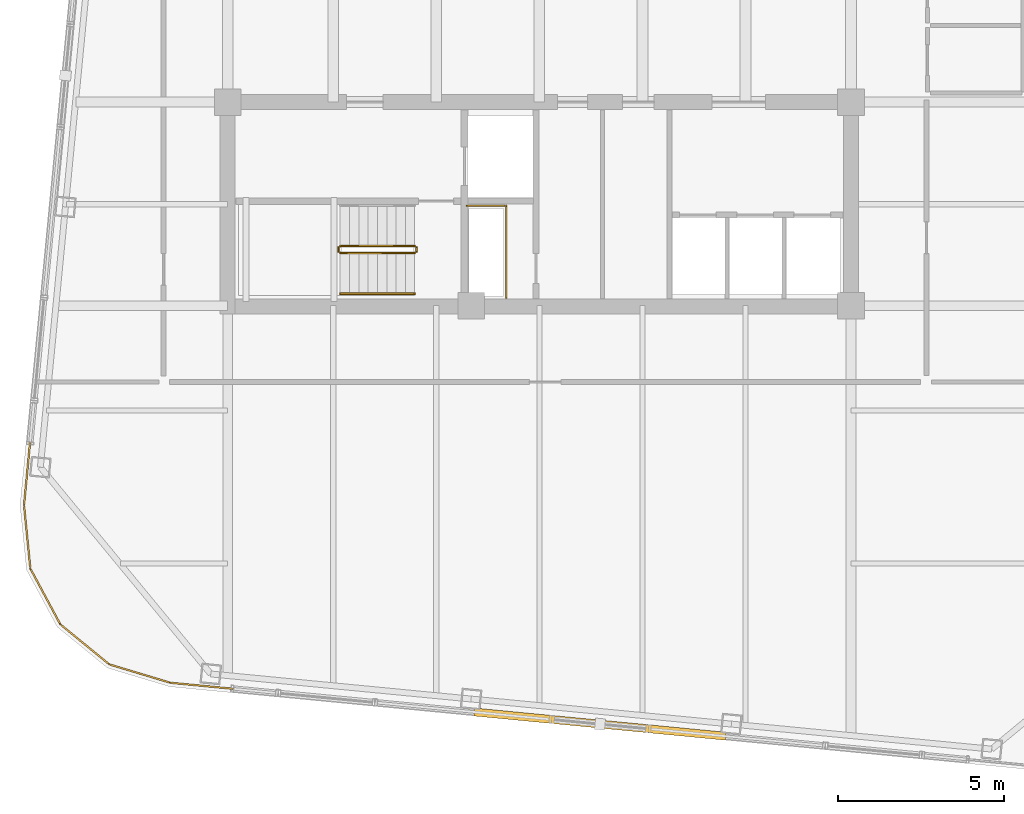
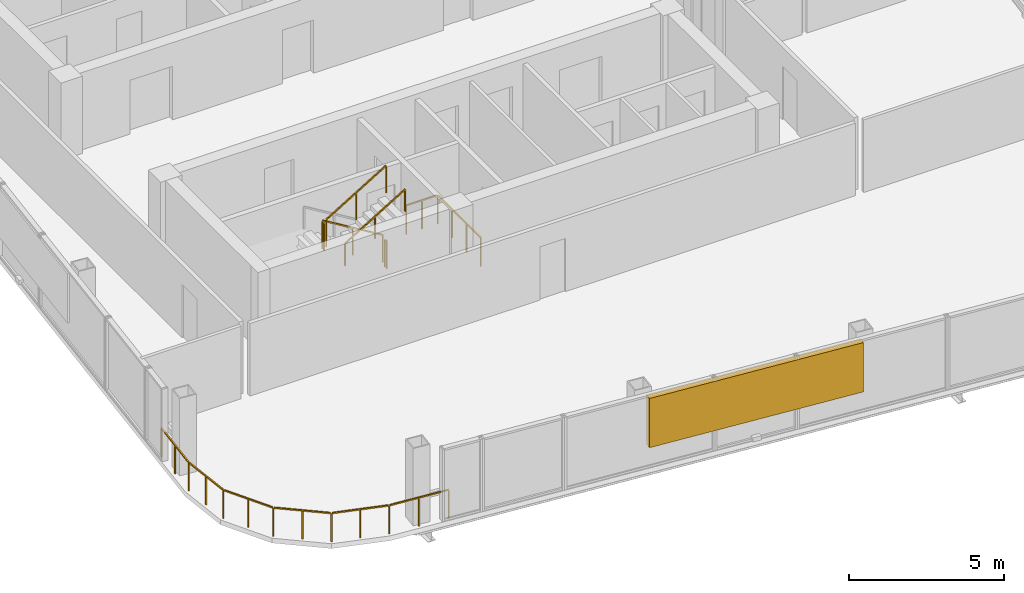
# One storey, part 23 of 26: 7 railings, 1 shading device.
"""IFC4 building model written with IfcOpenShell, lengths in metres."""

from ifc_helpers import new_model, si_unit, direction, frame, origin, origin_2d, place, context, subcontext, project, spatial, rectangle, extrude, material, type_object, element, save


model = new_model("IFC4")

# Units and contexts
model_context = context("Model", 3, precision=1e-05, world=origin(), true_north=direction((0.0, 1.0)))
body_context = subcontext(model_context, "Body", "Model", "MODEL_VIEW")
ifc_project = project(units=[si_unit("LENGTHUNIT", "METRE"), si_unit("AREAUNIT", "SQUARE_METRE"), si_unit("VOLUMEUNIT", "CUBIC_METRE"), si_unit("PLANEANGLEUNIT", "RADIAN"), si_unit("MASSUNIT", "GRAM", prefix="KILO")], contexts=[model_context])

# Site, building, storey
site_placement = place(None, origin())
site = spatial("IfcSite", under=ifc_project, at=site_placement, CompositionType="ELEMENT")
building_placement = place(site_placement, origin())
building = spatial("IfcBuilding", under=site, at=building_placement, Name="Qhalaya Broadcast Tower", CompositionType="ELEMENT")
storey_placement = place(building_placement, frame((0.0, 0.0, 248.949951171875)))
storey = spatial("IfcBuildingStorey", under=building, at=storey_placement, Name="L73", CompositionType="ELEMENT", Elevation=248.949951171875)

# Railings
ifc_material_1 = material(Name="Powder-Coated Galvanised Steel", Category="steel")
railing_type_1 = type_object("IfcRailingType", Name="Stair Wall Handrail 900", PredefinedType="HANDRAIL", material=ifc_material_1)
railing_1_placement = place(storey_placement, frame((-5.989990234375, -8.389892578125, 1.694580078125)))
element("IfcRailing", 1, at=railing_1_placement, inside=storey, type_object=railing_type_1, Name="L73 ST-2 Stair Handrail 2", PredefinedType="HANDRAIL", context=body_context, shape_type="SweptSolid", body=[
    extrude(rectangle(XDim=0.048095703125, YDim=0.048095703125, at=origin_2d()), frame((0.0, 0.0, 0.8759765625), z_axis=(0.855553338991, 0.0, 0.51771467445), x_axis=(0.0, 1.0, 0.0)), (0.0, 0.0, 1.0), 2.6181640625),
    extrude(rectangle(XDim=0.0419921875, YDim=0.0419921875, at=origin_2d()), origin(), (0.0, 0.0, 1.0), 0.849853515625),
    extrude(rectangle(XDim=0.0419921875, YDim=0.0419921875, at=origin_2d()), frame((1.1201171875, 0.0, 0.677734375)), (0.0, 0.0, 1.0), 0.849853515625),
    extrude(rectangle(XDim=0.0419921875, YDim=0.0419921875, at=origin_2d()), frame((2.239990234375, 0.0, 1.35546875)), (0.0, 0.0, 1.0), 0.849853515625),
])
railing_type_2 = type_object("IfcRailingType", Name="Stair Well & Landing Guardrail 1100", PredefinedType="GUARDRAIL", material=ifc_material_1)
railing_2_placement = place(storey_placement, frame((-1.0, -8.52001953125, 0.0)))
element("IfcRailing", 2, at=railing_2_placement, inside=storey, type_object=railing_type_2, Name="L73 Service Riser Opening Safety Guard SRSR", PredefinedType="GUARDRAIL", context=body_context, shape_type="SweptSolid", body=[
    extrude(rectangle(XDim=0.048095703125, YDim=0.048095703125, at=origin_2d()), frame((0.0, 0.0, 1.1259765625), z_axis=(0.0, 1.0, 0.0), x_axis=(-1.0, 0.0, 0.0)), (0.0, 0.0, 1.0), 2.751220703125),
    extrude(rectangle(XDim=0.048095703125, YDim=0.048095703125, at=origin_2d()), frame((-0.02880859375, 2.780029296875, 1.1259765625), z_axis=(-1.0, 0.0, 0.0), x_axis=(0.0, -1.0, 0.0)), (0.0, 0.0, 1.0), 1.151123046875),
    extrude(rectangle(XDim=0.0419921875, YDim=0.0419921875, at=origin_2d()), origin(), (0.0, 0.0, 1.0), 1.099853515625),
    extrude(rectangle(XDim=0.0419921875, YDim=0.0419921875, at=origin_2d()), frame((0.0, 0.9267578125, 0.0)), (0.0, 0.0, 1.0), 1.099853515625),
    extrude(rectangle(XDim=0.0419921875, YDim=0.0419921875, at=origin_2d()), frame((0.0, 1.853271484375, 0.0)), (0.0, 0.0, 1.0), 1.099853515625),
    extrude(rectangle(XDim=0.0419921875, YDim=0.0419921875, at=origin_2d()), frame((0.0, 2.780029296875, 0.0)), (0.0, 0.0, 1.0), 1.099853515625),
    extrude(rectangle(XDim=0.0419921875, YDim=0.0419921875, at=origin_2d()), frame((-0.58984375, 2.780029296875, 0.0)), (0.0, 0.0, 1.0), 1.099853515625),
    extrude(rectangle(XDim=0.0419921875, YDim=0.0419921875, at=origin_2d()), frame((-1.179931640625, 2.780029296875, 0.0)), (0.0, 0.0, 1.0), 1.099853515625),
])
railing_3_placement = place(storey_placement, frame((-3.75, -6.949951171875, 0.16943359375)))
element("IfcRailing", 3, at=railing_3_placement, inside=storey, type_object=railing_type_2, Name="L73 ST-2 Stair Guard 1", PredefinedType="GUARDRAIL", context=body_context, shape_type="SweptSolid", body=[
    extrude(rectangle(XDim=0.048095703125, YDim=0.048095703125, at=origin_2d()), frame((0.0, 0.0, 1.076171875), z_axis=(-0.855512035549, 0.0, 0.517782924622), x_axis=(0.0, -1.0, 0.0)), (0.0, 0.0, 1.0), 2.618408203125),
    extrude(rectangle(XDim=0.0419921875, YDim=0.0419921875, at=origin_2d()), origin(), (0.0, 0.0, 1.0), 1.050048828125),
    extrude(rectangle(XDim=0.0419921875, YDim=0.0419921875, at=origin_2d()), frame((-1.1201171875, 0.0, 0.677734375)), (0.0, 0.0, 1.0), 1.050048828125),
    extrude(rectangle(XDim=0.0419921875, YDim=0.0419921875, at=origin_2d()), frame((-2.239990234375, 0.0, 1.355712890625)), (0.0, 0.0, 1.0), 1.050048828125),
])
railing_4_placement = place(storey_placement, frame((-6.0400390625, -7.0, 1.525146484375)))
element("IfcRailing", 4, at=railing_4_placement, inside=storey, type_object=railing_type_2, Name="L73 ST-2 Stair Guard 2", PredefinedType="GUARDRAIL", context=body_context, shape_type="SweptSolid", body=[
    extrude(rectangle(XDim=0.048095703125, YDim=0.048095703125, at=origin_2d()), frame((0.0, 0.0, 1.076171875), z_axis=(0.0, -1.0, 0.0), x_axis=(1.0, 0.0, 0.0)), (0.0, 0.0, 1.0), 0.1201171875),
    extrude(rectangle(XDim=0.0419921875, YDim=0.0419921875, at=origin_2d()), origin(), (0.0, 0.0, 1.0), 1.050048828125),
    extrude(rectangle(XDim=0.0419921875, YDim=0.0419921875, at=origin_2d()), frame((0.0, -0.1201171875, 0.0)), (0.0, 0.0, 1.0), 1.050048828125),
])
railing_5_placement = place(storey_placement, frame((-5.989990234375, -7.169921875, 1.694580078125)))
element("IfcRailing", 5, at=railing_5_placement, inside=storey, type_object=railing_type_2, Name="L73 ST-2 Stair Guard 3", PredefinedType="GUARDRAIL", context=body_context, shape_type="SweptSolid", body=[
    extrude(rectangle(XDim=0.048095703125, YDim=0.048095703125, at=origin_2d()), frame((0.0, 0.0, 1.076171875), z_axis=(0.855553338991, 0.0, 0.51771467445), x_axis=(0.0, 1.0, 0.0)), (0.0, 0.0, 1.0), 2.6181640625),
    extrude(rectangle(XDim=0.0419921875, YDim=0.0419921875, at=origin_2d()), origin(), (0.0, 0.0, 1.0), 1.050048828125),
    extrude(rectangle(XDim=0.0419921875, YDim=0.0419921875, at=origin_2d()), frame((1.1201171875, 0.0, 0.677734375)), (0.0, 0.0, 1.0), 1.050048828125),
    extrude(rectangle(XDim=0.0419921875, YDim=0.0419921875, at=origin_2d()), frame((2.239990234375, 0.0, 1.35546875)), (0.0, 0.0, 1.0), 1.050048828125),
])
railing_6_placement = place(storey_placement, frame((-3.699951171875, -7.0, 0.0)))
element("IfcRailing", 6, at=railing_6_placement, inside=storey, type_object=railing_type_2, Name="L73 ST-2 Stair Guard 4", PredefinedType="GUARDRAIL", context=body_context, shape_type="SweptSolid", body=[
    extrude(rectangle(XDim=0.048095703125, YDim=0.048095703125, at=origin_2d()), frame((0.0, 0.0, 1.076171875), z_axis=(0.0, -1.0, 0.0), x_axis=(1.0, 0.0, 0.0)), (0.0, 0.0, 1.0), 0.1201171875),
    extrude(rectangle(XDim=0.0419921875, YDim=0.0419921875, at=origin_2d()), origin(), (0.0, 0.0, 1.0), 1.050048828125),
    extrude(rectangle(XDim=0.0419921875, YDim=0.0419921875, at=origin_2d()), frame((0.0, -0.1201171875, 0.0)), (0.0, 0.0, 1.0), 1.050048828125),
])
railing_type_3 = type_object("IfcRailingType", Name="Terrace, Sky-Pool & Lookout Glass Balustrade 1150", PredefinedType="BALUSTRADE", material=ifc_material_1)
railing_7_placement = place(storey_placement, frame((-8.99365234375, -20.2958984375, 0.0)))
element("IfcRailing", 7, at=railing_7_placement, inside=storey, type_object=railing_type_3, Name="L73 Rounded Corner Perimeter Guard 02", PredefinedType="BALUSTRADE", context=body_context, shape_type="SweptSolid", body=[
    extrude(rectangle(XDim=0.048095703125, YDim=0.048095703125, at=origin_2d()), frame((0.0, 0.0, 1.1259765625), z_axis=(-0.995391273094, 0.095896889673, 0.0), x_axis=(-0.095896889673, -0.995391273094, 0.0)), (0.0, 0.0, 1.0), 2.08935546875),
    extrude(rectangle(XDim=0.048095703125, YDim=0.048095703125, at=origin_2d()), frame((-2.135986328125, 0.21142578125, 1.1259765625), z_axis=(-0.957601447485, 0.288096282124, 0.0), x_axis=(-0.288096282124, -0.957601447485, 0.0)), (0.0, 0.0, 1.0), 1.857421875),
    extrude(rectangle(XDim=0.048095703125, YDim=0.048095703125, at=origin_2d()), frame((-3.96484375, 0.773193359375, 1.1259765625), z_axis=(-0.774357190213, 0.63274871945, 0.0), x_axis=(-0.63274871945, -0.774357190213, 0.0)), (0.0, 0.0, 1.0), 1.845703125),
    extrude(rectangle(XDim=0.048095703125, YDim=0.048095703125, at=origin_2d()), frame((-5.429931640625, 1.984619140625, 1.1259765625), z_axis=(-0.473342342286, 0.880878554058, 0.0), x_axis=(-0.880878554058, -0.473342342286, 0.0)), (0.0, 0.0, 1.0), 1.845458984375),
    extrude(rectangle(XDim=0.048095703125, YDim=0.048095703125, at=origin_2d()), frame((-6.320068359375, 3.66455078125, 1.1259765625), z_axis=(-0.100071682341, 0.994980230152, 0.0), x_axis=(-0.994980230152, -0.100071682341, 0.0)), (0.0, 0.0, 1.0), 1.857421875),
    extrude(rectangle(XDim=0.048095703125, YDim=0.048095703125, at=origin_2d()), frame((-6.506103515625, 5.570068359375, 1.1259765625), z_axis=(0.095782687057, 0.995402268864, 0.0), x_axis=(-0.995402268864, 0.095782687057, 0.0)), (0.0, 0.0, 1.0), 2.08935546875),
    extrude(rectangle(XDim=0.0419921875, YDim=0.0419921875, at=origin_2d()), origin(), (0.0, 0.0, 1.0), 1.099853515625),
    extrude(rectangle(XDim=0.0419921875, YDim=0.0419921875, at=origin_2d()), frame((-1.05419921875, 0.1015625, 0.0)), (0.0, 0.0, 1.0), 1.099853515625),
    extrude(rectangle(XDim=0.0419921875, YDim=0.0419921875, at=origin_2d()), frame((-2.1083984375, 0.203125, 0.0)), (0.0, 0.0, 1.0), 1.099853515625),
    extrude(rectangle(XDim=0.0419921875, YDim=0.0419921875, at=origin_2d()), frame((-3.025390625, 0.47900390625, 0.0)), (0.0, 0.0, 1.0), 1.099853515625),
    extrude(rectangle(XDim=0.0419921875, YDim=0.0419921875, at=origin_2d()), frame((-3.9423828125, 0.7548828125, 0.0)), (0.0, 0.0, 1.0), 1.099853515625),
    extrude(rectangle(XDim=0.0419921875, YDim=0.0419921875, at=origin_2d()), frame((-4.67919921875, 1.35693359375, 0.0)), (0.0, 0.0, 1.0), 1.099853515625),
    extrude(rectangle(XDim=0.0419921875, YDim=0.0419921875, at=origin_2d()), frame((-5.416259765625, 1.959228515625, 0.0)), (0.0, 0.0, 1.0), 1.099853515625),
    extrude(rectangle(XDim=0.0419921875, YDim=0.0419921875, at=origin_2d()), frame((-5.86669921875, 2.79736328125, 0.0)), (0.0, 0.0, 1.0), 1.099853515625),
    extrude(rectangle(XDim=0.0419921875, YDim=0.0419921875, at=origin_2d()), frame((-6.317138671875, 3.6357421875, 0.0)), (0.0, 0.0, 1.0), 1.099853515625),
    extrude(rectangle(XDim=0.0419921875, YDim=0.0419921875, at=origin_2d()), frame((-6.4130859375, 4.58837890625, 0.0)), (0.0, 0.0, 1.0), 1.099853515625),
    extrude(rectangle(XDim=0.0419921875, YDim=0.0419921875, at=origin_2d()), frame((-6.5087890625, 5.541259765625, 0.0)), (0.0, 0.0, 1.0), 1.099853515625),
    extrude(rectangle(XDim=0.0419921875, YDim=0.0419921875, at=origin_2d()), frame((-6.4072265625, 6.595458984375, 0.0)), (0.0, 0.0, 1.0), 1.099853515625),
    extrude(rectangle(XDim=0.0419921875, YDim=0.0419921875, at=origin_2d()), frame((-6.305908203125, 7.649658203125, 0.0)), (0.0, 0.0, 1.0), 1.099853515625),
])

# Shading device
ifc_material_2 = material(Name="Fired Architectural Terracotta", Category="masonry")
shading_device_type = type_object("IfcShadingDeviceType", Name="Terracotta Baguette Solar Screen Assembly TBS-01", PredefinedType="USERDEFINED", material=ifc_material_2)
shading_device_placement = place(storey_placement, frame((1.826171875, -21.337646484375, 0.80078125), z_axis=(0.0, 0.0, 1.0), x_axis=(0.995396198367, -0.09584575252, 0.0)))
element("IfcShadingDevice", 8, at=shading_device_placement, inside=storey, type_object=shading_device_type, Name="L73 Fired Terracotta Baguette Screen S", ObjectType="BAGUETTE", PredefinedType="USERDEFINED", context=body_context, shape_type="SweptSolid", body=[
    extrude(rectangle(XDim=7.60009765625, YDim=0.239990234375, at=origin_2d()), origin(), (0.0, 0.0, 1.0), 1.945068359375),
])

save(model, "model.ifc")
